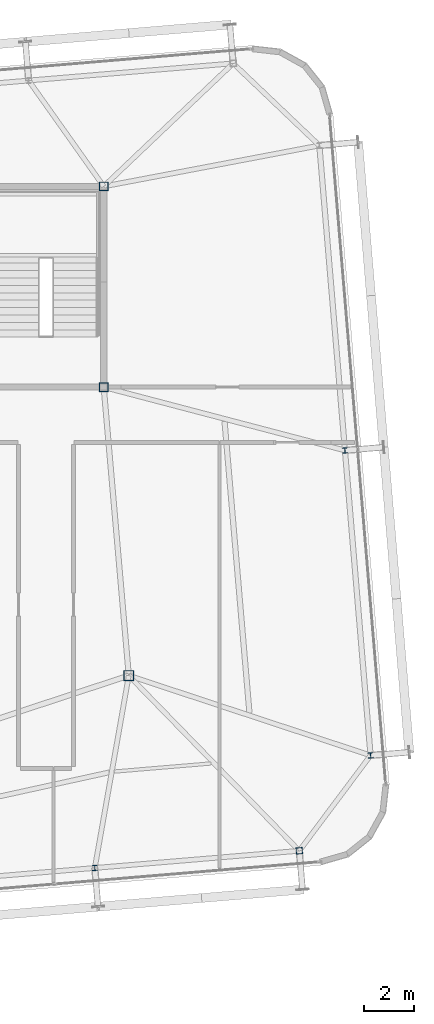
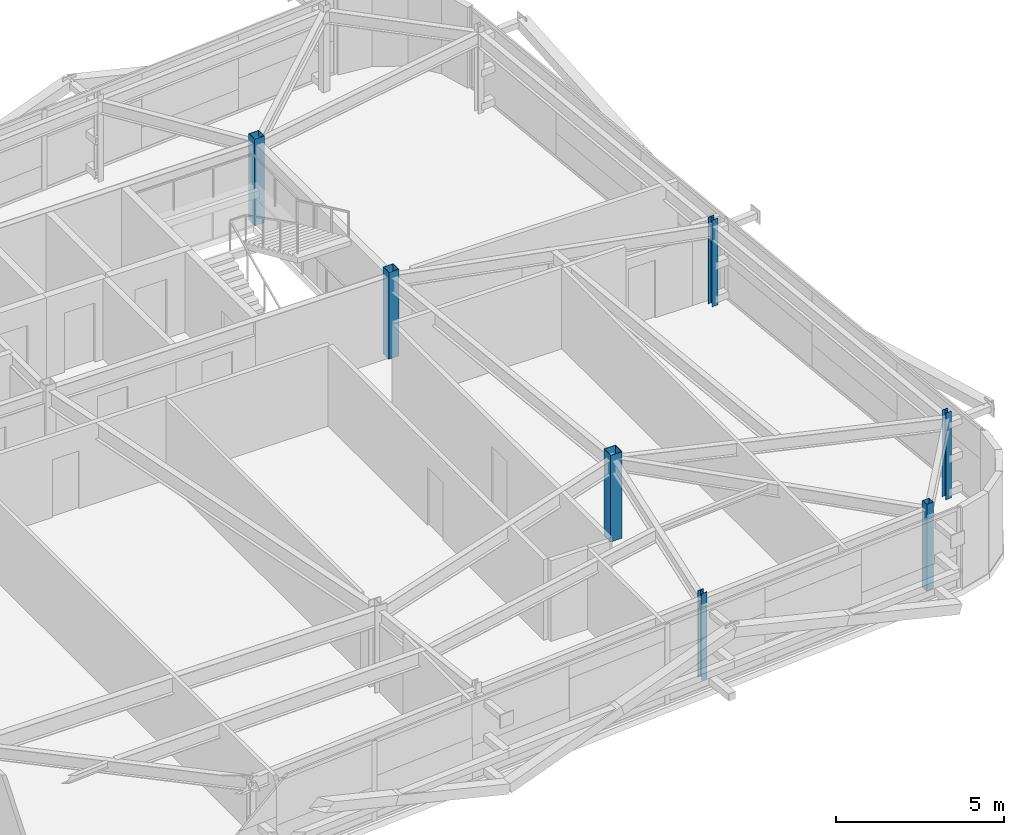
# One storey, part 4 of 37: 7 columns.
"""IFC4 building model written with IfcOpenShell, lengths in metres."""

from ifc_helpers import new_model, si_unit, direction, frame, origin, origin_2d, place, context, subcontext, project, spatial, hollow_rectangle, i_section, extrude, source, transform, mapped, material, material_profile, profile_set, type_object, element, save


model = new_model("IFC4")

# Units and contexts
model_context = context("Model", 3, precision=1e-05, world=origin(), true_north=direction((0.0, 1.0)))
body_context = subcontext(model_context, "Body", "Model", "MODEL_VIEW")
ifc_project = project(units=[si_unit("LENGTHUNIT", "METRE"), si_unit("AREAUNIT", "SQUARE_METRE"), si_unit("VOLUMEUNIT", "CUBIC_METRE"), si_unit("PLANEANGLEUNIT", "RADIAN"), si_unit("MASSUNIT", "GRAM", prefix="KILO")], contexts=[model_context])

# Site, building, storey
site_placement = place(None, origin())
site = spatial("IfcSite", under=ifc_project, at=site_placement, CompositionType="ELEMENT")
building_placement = place(site_placement, origin())
building = spatial("IfcBuilding", under=site, at=building_placement, Name="Taldren Reach Tower", CompositionType="ELEMENT")
storey_placement = place(building_placement, frame((0.0, 0.0, 182.0)))
storey = spatial("IfcBuildingStorey", under=building, at=storey_placement, Name="L55", CompositionType="ELEMENT", Elevation=182.0)

# Columns
ifc_material_1 = material(Name="Steel Gr 450 (C450L0)", Category="steel")
ifc_material_profile_1 = material_profile(ifc_material_1, hollow_rectangle(XDim=0.39990234375, YDim=0.39990234375, WallThickness=0.01611328125, at=origin_2d()), Name="400x400x16.0SHS")
ifc_profile_set_1 = profile_set([ifc_material_profile_1], Name="Steel Gr 450 (C450L0)")
column_type_1 = type_object("IfcColumnType", Name="COL-SHS400", PredefinedType="COLUMN", material=ifc_profile_set_1)
shared_shape_1 = source(origin(), body_context, "Body", "SweptSolid", [
    extrude(hollow_rectangle(XDim=0.39990234375, YDim=0.39990234375, WallThickness=0.01611328125, at=origin_2d()), origin(), (0.0, 0.0, 1.0), 3.14990234375),
])
column_1_placement = place(storey_placement, frame((52.0, 12.5, 0.0), z_axis=(0.0, 0.0, 1.0), x_axis=(1.0, 0.0, 0.0)))
element("IfcColumn", 1, at=column_1_placement, inside=storey, type_object=column_type_1, Name="Mega column MC-SE L55", PredefinedType="COLUMN", context=body_context, shape_type="MappedRepresentation", body=[
    mapped(shared_shape_1, transform((0.0, 0.0, 0.0), scale=1.0)),
])
ifc_material_profile_2 = material_profile(ifc_material_1, hollow_rectangle(XDim=0.35009765625, YDim=0.35009765625, WallThickness=0.01611328125, at=origin_2d()), Name="350x350x16.0SHS")
ifc_profile_set_2 = profile_set([ifc_material_profile_2], Name="Steel Gr 450 (C450L0)")
column_type_2 = type_object("IfcColumnType", Name="COL-SHS350", PredefinedType="COLUMN", material=ifc_profile_set_2)
shared_shape_2 = source(origin(), body_context, "Body", "SweptSolid", [
    extrude(hollow_rectangle(XDim=0.35009765625, YDim=0.35009765625, WallThickness=0.01611328125, at=origin_2d()), origin(), (0.0, 0.0, 1.0), 3.14990234375),
])
for number, where, z_axis, x_axis, name in (
    (2, (51.0, 24.0, 0.0), (0.0, 0.0, 1.0), (1.0, 0.0, 0.0), "Mega column MC-C4 L55"),
    (3, (51.0, 32.0, 0.0), (0.0, 0.0, 1.0), (1.0, 0.0, 0.0), "Mega column MC-C8 L55"),
):
    element("IfcColumn", number, at=place(storey_placement, frame(where, z_axis=z_axis, x_axis=x_axis)), inside=storey, type_object=column_type_2, Name=name, PredefinedType="COLUMN", context=body_context, shape_type="MappedRepresentation", body=[
        mapped(shared_shape_2, transform((0.0, 0.0, 0.0), scale=1.0)),
    ])
ifc_material_2 = material(Name="Steel Gr 350 (C350L0)", Category="steel")
ifc_material_profile_3 = material_profile(ifc_material_2, hollow_rectangle(XDim=0.25, YDim=0.25, WallThickness=0.010009765625, at=origin_2d()), Name="250x250x10.0SHS")
ifc_profile_set_3 = profile_set([ifc_material_profile_3], Name="Steel Gr 350 (C350L0)")
column_type_3 = type_object("IfcColumnType", Name="COL-SHS250", PredefinedType="COLUMN", material=ifc_profile_set_3)
shared_shape_3 = source(origin(), body_context, "Body", "SweptSolid", [
    extrude(hollow_rectangle(XDim=0.25, YDim=0.25, WallThickness=0.010009765625, at=origin_2d()), origin(), (0.0, 0.0, 1.0), 3.14990234375),
])
column_2_placement = place(storey_placement, frame((58.796142578125, 5.516357421875, 0.0), z_axis=(0.0, 0.0, 1.0), x_axis=(0.99649285925, 0.083677843332, 0.0)))
element("IfcColumn", 4, at=column_2_placement, inside=storey, type_object=column_type_3, Name="Block B4 perimeter column S6 L55", PredefinedType="COLUMN", context=body_context, shape_type="MappedRepresentation", body=[
    mapped(shared_shape_3, transform((0.0, 0.0, 0.0), scale=1.0)),
])
ifc_material_3 = material(Name="Steel Gr 350 (350PLUS)", Category="steel")
ifc_material_profile_4 = material_profile(ifc_material_3, i_section(OverallWidth=0.205078125, OverallDepth=0.2099609375, WebThickness=0.00927734375, FlangeThickness=0.01416015625, at=origin_2d()), Name="200UC59.5")
ifc_profile_set_4 = profile_set([ifc_material_profile_4], Name="Steel Gr 350 (350PLUS)")
column_type_4 = type_object("IfcColumnType", Name="COL-UC200", PredefinedType="COLUMN", material=ifc_profile_set_4)
shared_shape_4 = source(origin(), body_context, "Body", "SweptSolid", [
    extrude(i_section(OverallWidth=0.205078125, OverallDepth=0.2099609375, WebThickness=0.00927734375, FlangeThickness=0.01416015625, at=origin_2d()), origin(), (0.0, 0.0, 1.0), 3.14990234375),
])
for number, where, z_axis, x_axis, name in (
    (5, (50.644775390625, 4.83203125, 0.0), (0.0, 0.0, 1.0), (0.99649285925, 0.083677843332, 0.0), "Block B4 perimeter column S5 L55"),
    (6, (61.63818359375, 9.317626953125, 0.0), (0.0, 0.0, 1.0), (0.99649285925, 0.083677843332, 0.0), "Block B4 perimeter column E1 L55"),
    (7, (60.6171875, 21.474853515625, 0.0), (0.0, 0.0, 1.0), (0.99649285925, 0.083677843332, 0.0), "Block B4 perimeter column E2 L55"),
):
    element("IfcColumn", number, at=place(storey_placement, frame(where, z_axis=z_axis, x_axis=x_axis)), inside=storey, type_object=column_type_4, Name=name, PredefinedType="COLUMN", context=body_context, shape_type="MappedRepresentation", body=[
        mapped(shared_shape_4, transform((0.0, 0.0, 0.0), scale=1.0)),
    ])

save(model, "model.ifc")
